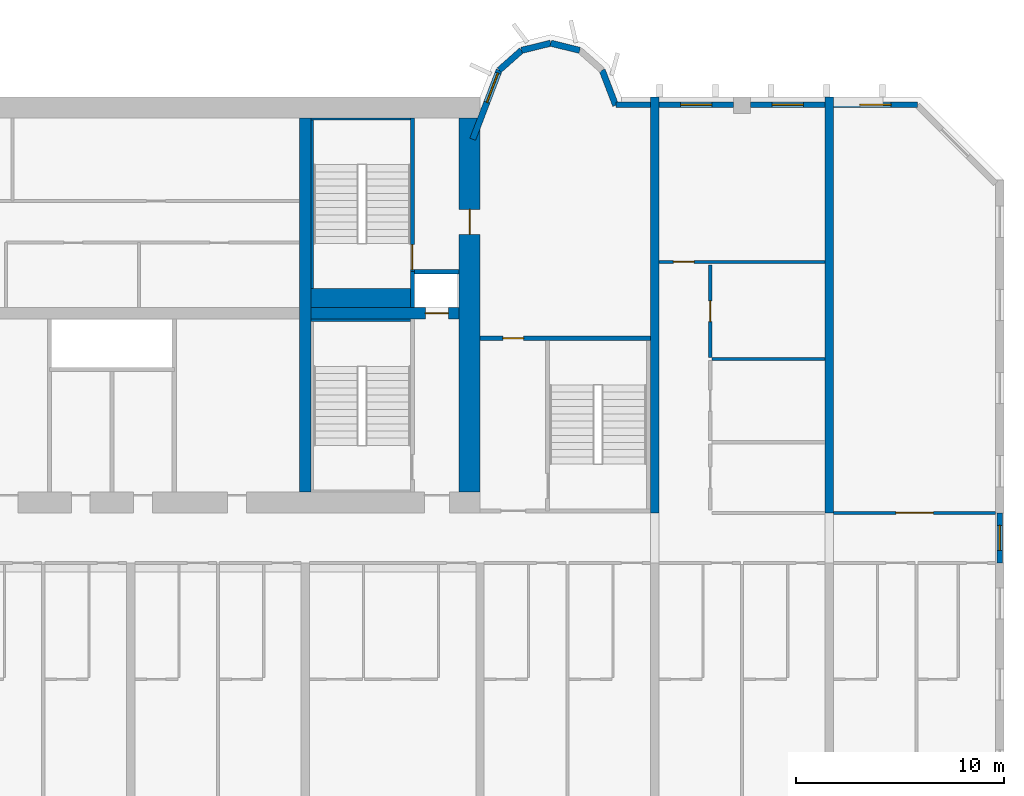
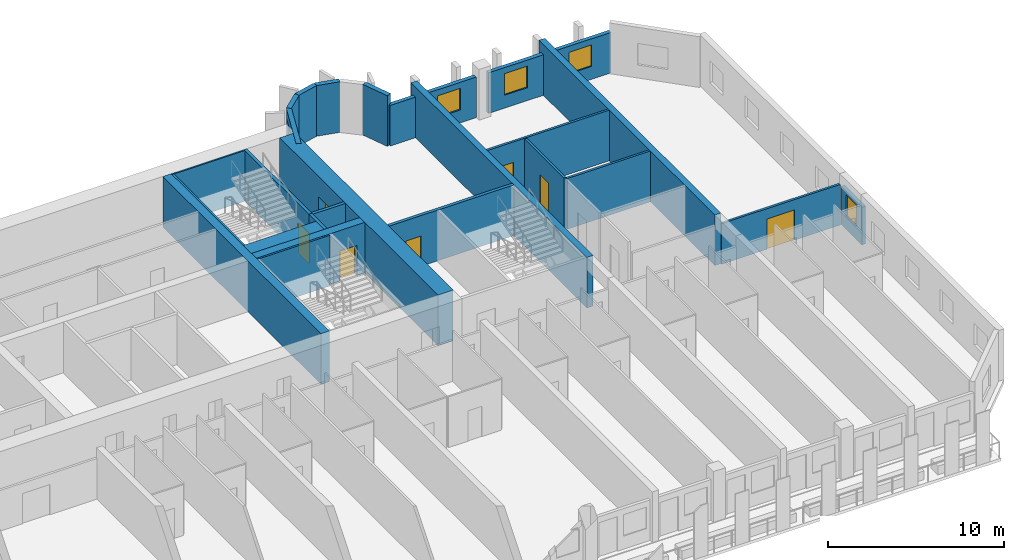
# One storey, part 10 of 14: 27 walls, 7 doors, 5 windows, 12 openings.
"""IFC4 building model written with IfcOpenShell, lengths in metres."""

from ifc_helpers import new_model, si_unit, direction, frame, frame_2d, origin, place, context, subcontext, project, spatial, rectangle, extrude, source, transform, mapped, material, layer, layer_set, type_object, element, fill, save


model = new_model("IFC4")

# Units and contexts
model_context = context("Model", 3, precision=1e-05, world=origin(), true_north=direction((0.0, 1.0)))
body_context = subcontext(model_context, "Body", "Model", "MODEL_VIEW")
ifc_project = project(units=[si_unit("LENGTHUNIT", "METRE"), si_unit("AREAUNIT", "SQUARE_METRE"), si_unit("VOLUMEUNIT", "CUBIC_METRE"), si_unit("PLANEANGLEUNIT", "RADIAN"), si_unit("MASSUNIT", "GRAM", prefix="KILO")], contexts=[model_context])

# Site, building, storey
site_placement = place(None, origin())
site = spatial("IfcSite", under=ifc_project, at=site_placement, CompositionType="ELEMENT")
building_placement = place(site_placement, origin())
building = spatial("IfcBuilding", under=site, at=building_placement, Name="Vanashikhar Sky Hotel", CompositionType="ELEMENT")
storey_placement = place(building_placement, frame((0.0, 0.0, 50.60009765625)))
storey = spatial("IfcBuildingStorey", under=building, at=storey_placement, Name="L11", CompositionType="ELEMENT", Elevation=50.60009765625)

# Wall, opening, door
ifc_material_1 = material(Name="Concrete M80", Category="concrete")
ifc_layer_1 = layer(ifc_material_1, 1.0)
ifc_layer_set_1 = layer_set([ifc_layer_1], Name="RC core shell wall 1000 Concrete M80")
wall_type_1 = type_object("IfcWallType", Name="RC core shell wall 1000 Concrete M80", PredefinedType="SHEAR", material=ifc_layer_set_1)
shared_shape_1 = source(origin(), body_context, "Body", "SweptSolid", [
    extrude(rectangle(XDim=18.0, YDim=1.0, at=frame_2d((9.0, 0.0))), origin(), (0.0, 0.0, 1.0), 3.52001953125),
])
wall_1_placement = place(storey_placement, frame((75.10009765625, 23.0, 0.0), z_axis=(0.0, 0.0, 1.0), x_axis=(0.0, 1.0, 0.0)))
wall_1 = element("IfcWall", 1, at=wall_1_placement, inside=storey, type_object=wall_type_1, Name="KW-L11-KE", PredefinedType="SHEAR", context=body_context, shape_type="MappedRepresentation", body=[
    mapped(shared_shape_1, transform((0.0, 0.0, 0.0), scale=1.0)),
])
shared_shape_2 = source(origin(), body_context, "Body", "SweptSolid", [
    extrude(rectangle(XDim=1.199951171875, YDim=2.10009765625, at=frame_2d((0.60009765625, 1.050048828125))), frame((0.0, 0.510009765625, 0.0), z_axis=(0.0, -1.0, 0.0), x_axis=(1.0, 0.0, 0.0)), (0.0, 0.0, 1.0), 1.02001953125),
])
opening_1_placement = place(wall_1_placement, frame((12.39990234375, 0.0, 0.0)))
opening_1 = element("IfcOpeningElement", 2, at=opening_1_placement, cuts=wall_1, Name="Opening DC-4-D", PredefinedType="OPENING", context=body_context, shape_type="MappedRepresentation", body=[
    mapped(shared_shape_2, transform((0.0, 0.0, 0.0), scale=1.0)),
])
ifc_material_2 = material(Name="Steel", Category="steel")
door_type_1 = type_object("IfcDoorType", Name="Service door 1200 FD120", OperationType="NOTDEFINED", PredefinedType="DOOR", material=ifc_material_2)
shared_shape_3 = source(origin(), body_context, "Body", "SweptSolid", [
    extrude(rectangle(XDim=1.199951171875, YDim=2.10009765625, at=frame_2d((0.60009765625, 1.050048828125))), frame((0.0, 0.02490234375, 0.0), z_axis=(0.0, -1.0, 0.0), x_axis=(1.0, 0.0, 0.0)), (0.0, 0.0, 1.0), 0.050048828125),
])
door_1_placement = place(opening_1_placement, origin())
door_1 = element("IfcDoor", 3, at=door_1_placement, inside=storey, type_object=door_type_1, Name="Service door 1200 FD120", OperationType="SINGLE_SWING_RIGHT", OverallHeight=2.10009765625, OverallWidth=1.199951171875, PredefinedType="DOOR", context=body_context, shape_type="MappedRepresentation", body=[
    mapped(shared_shape_3, transform((0.0, 0.0, 0.0), scale=1.0)),
])
fill(opening_1, door_1)

# Wall
ifc_layer_2 = layer(ifc_material_1, 0.550048828125)
ifc_layer_set_2 = layer_set([ifc_layer_2], Name="RC core inner wall 550 Concrete M80")
wall_type_2 = type_object("IfcWallType", Name="RC core inner wall 550 Concrete M80", PredefinedType="SHEAR", material=ifc_layer_set_2)
shared_shape_4 = source(origin(), body_context, "Body", "SweptSolid", [
    extrude(rectangle(XDim=18.0, YDim=0.550048828125, at=frame_2d((9.0, 0.0))), origin(), (0.0, 0.0, 1.0), 3.52001953125),
])
wall_2_placement = place(storey_placement, frame((67.199951171875, 23.0, 0.0), z_axis=(0.0, 0.0, 1.0), x_axis=(0.0, 1.0, 0.0)))
element("IfcWall", 4, at=wall_2_placement, inside=storey, type_object=wall_type_2, Name="KW-L11-KX3", PredefinedType="SHEAR", context=body_context, shape_type="MappedRepresentation", body=[
    mapped(shared_shape_4, transform((0.0, 0.0, 0.0), scale=1.0)),
])

# Wall, opening, door
shared_shape_5 = source(origin(), body_context, "Body", "SweptSolid", [
    extrude(rectangle(XDim=7.125, YDim=0.550048828125, at=frame_2d((3.5625, 0.0))), origin(), (0.0, 0.0, 1.0), 3.52001953125),
])
wall_3_placement = place(storey_placement, frame((67.47509765625, 31.60009765625, 0.0), z_axis=(0.0, 0.0, 1.0), x_axis=(1.0, 0.0, 0.0)))
wall_3 = element("IfcWall", 5, at=wall_3_placement, inside=storey, type_object=wall_type_2, Name="KW-L11-KY4", PredefinedType="SHEAR", context=body_context, shape_type="MappedRepresentation", body=[
    mapped(shared_shape_5, transform((0.0, 0.0, 0.0), scale=1.0)),
])
shared_shape_6 = source(origin(), body_context, "Body", "SweptSolid", [
    extrude(rectangle(XDim=1.10009765625, YDim=2.10009765625, at=frame_2d((0.550048828125, 1.050048828125))), frame((0.0, 0.28515625, 0.0), z_axis=(0.0, -1.0, 0.0), x_axis=(1.0, 0.0, 0.0)), (0.0, 0.0, 1.0), 0.570068359375),
])
opening_2_placement = place(wall_3_placement, frame((5.5, 0.0, 0.0)))
opening_2 = element("IfcOpeningElement", 6, at=opening_2_placement, cuts=wall_3, Name="Opening LD", PredefinedType="OPENING", context=body_context, shape_type="MappedRepresentation", body=[
    mapped(shared_shape_6, transform((0.0, 0.0, 0.0), scale=1.0)),
])
ifc_material_3 = material(Name="Stainless steel", Category="steel")
door_type_2 = type_object("IfcDoorType", Name="Lift landing door 1100", OperationType="NOTDEFINED", PredefinedType="DOOR", material=ifc_material_3)
shared_shape_7 = source(origin(), body_context, "Body", "SweptSolid", [
    extrude(rectangle(XDim=1.10009765625, YDim=2.10009765625, at=frame_2d((0.550048828125, 1.050048828125))), frame((0.0, 0.02490234375, 0.0), z_axis=(0.0, -1.0, 0.0), x_axis=(1.0, 0.0, 0.0)), (0.0, 0.0, 1.0), 0.050048828125),
])
door_2_placement = place(opening_2_placement, origin())
door_2 = element("IfcDoor", 7, at=door_2_placement, inside=storey, type_object=door_type_2, Name="Lift landing door 1100", OperationType="SLIDING_TO_LEFT", OverallHeight=2.10009765625, OverallWidth=1.10009765625, PredefinedType="DOOR", context=body_context, shape_type="MappedRepresentation", body=[
    mapped(shared_shape_7, transform((0.0, 0.0, 0.0), scale=1.0)),
])
fill(opening_2, door_2)

# Walls
ifc_layer_3 = layer(ifc_material_1, 0.39990234375)
ifc_layer_set_3 = layer_set([ifc_layer_3], Name="RC shear wall 400 Concrete M80")
wall_type_3 = type_object("IfcWallType", Name="RC shear wall 400 Concrete M80", PredefinedType="SHEAR", material=ifc_layer_set_3)
shared_shape_8 = source(origin(), body_context, "Body", "SweptSolid", [
    extrude(rectangle(XDim=20.0, YDim=0.39990234375, at=frame_2d((10.0, 0.0))), origin(), (0.0, 0.0, 1.0), 3.52001953125),
])
for number, where, z_axis, x_axis, name in (
    (8, (84.0, 22.0, 0.0), (0.0, 0.0, 1.0), (0.0, 1.0, 0.0), "CW-L11-XW11-2"),
    (9, (92.39990234375, 22.0, 0.0), (0.0, 0.0, 1.0), (0.0, 1.0, 0.0), "CW-L11-XW12-2"),
):
    element("IfcWall", number, at=place(storey_placement, frame(where, z_axis=z_axis, x_axis=x_axis)), inside=storey, type_object=wall_type_3, Name=name, PredefinedType="SHEAR", context=body_context, shape_type="MappedRepresentation", body=[
        mapped(shared_shape_8, transform((0.0, 0.0, 0.0), scale=1.0)),
    ])

# Wall, opening, window
ifc_material_4 = material(Name="Concrete M50", Category="concrete")
ifc_layer_4 = layer(ifc_material_4, 0.300048828125)
ifc_layer_set_4 = layer_set([ifc_layer_4], Name="Lobe wall 300")
wall_type_4 = type_object("IfcWallType", Name="Lobe wall 300", PredefinedType="SOLIDWALL", material=ifc_layer_set_4)
shared_shape_9 = source(origin(), body_context, "Body", "SweptSolid", [
    extrude(rectangle(XDim=3.55908203125, YDim=0.300048828125, at=frame_2d((1.779541015625, 0.0))), origin(), (0.0, 0.0, 1.0), 3.52001953125),
])
wall_4_placement = place(storey_placement, frame((76.5234375, 43.2919921875, 0.0), z_axis=(0.0, 0.0, 1.0), x_axis=(-0.35779745313, -0.933799219604, 0.0)))
wall_4 = element("IfcWall", 10, at=wall_4_placement, inside=storey, type_object=wall_type_4, Name="Lobe wall", PredefinedType="SOLIDWALL", context=body_context, shape_type="MappedRepresentation", body=[
    mapped(shared_shape_9, transform((0.0, 0.0, 0.0), scale=1.0)),
])
shared_shape_10 = source(origin(), body_context, "Body", "SweptSolid", [
    extrude(rectangle(XDim=1.5, YDim=2.0, at=frame_2d((0.75, 1.0))), frame((0.0, 0.16015625, 0.0), z_axis=(0.0, -1.0, 0.0), x_axis=(1.0, 0.0, 0.0)), (0.0, 0.0, 1.0), 0.320068359375),
])
opening_3_placement = place(wall_4_placement, frame((0.156005859375, 0.0, 0.89990234375)))
opening_3 = element("IfcOpeningElement", 11, at=opening_3_placement, cuts=wall_4, Name="Opening WN-2", PredefinedType="OPENING", context=body_context, shape_type="MappedRepresentation", body=[
    mapped(shared_shape_10, transform((0.0, 0.0, 0.0), scale=1.0)),
])
ifc_material_5 = material(Name="Glass", Category="glass")
window_type_1 = type_object("IfcWindowType", Name="Lobe window 1500 x 2000", PartitioningType="SINGLE_PANEL", PredefinedType="WINDOW", material=ifc_material_5)
shared_shape_11 = source(origin(), body_context, "Body", "SweptSolid", [
    extrude(rectangle(XDim=1.5, YDim=2.0, at=frame_2d((0.75, 1.0))), frame((0.0, 0.030029296875, 0.0), z_axis=(0.0, -1.0, 0.0), x_axis=(1.0, 0.0, 0.0)), (0.0, 0.0, 1.0), 0.06005859375),
])
window_1_placement = place(opening_3_placement, origin())
window_1 = element("IfcWindow", 12, at=window_1_placement, inside=storey, type_object=window_type_1, Name="Window WN-2", OverallHeight=2.0, OverallWidth=1.5, PartitioningType="SINGLE_PANEL", PredefinedType="WINDOW", context=body_context, shape_type="MappedRepresentation", body=[
    mapped(shared_shape_11, transform((0.0, 0.0, 0.0), scale=1.0)),
])
fill(opening_3, window_1)

# Walls
shared_shape_12 = source(origin(), body_context, "Body", "SweptSolid", [
    extrude(rectangle(XDim=1.438720703125, YDim=0.300048828125, at=frame_2d((0.71923828125, 0.0))), origin(), (0.0, 0.0, 1.0), 3.52001953125),
])
for number, where, z_axis, x_axis, name in (
    (13, (80.397216796875, 44.2451171875, 0.0), (0.0, 0.0, 1.0), (-0.971161932466, 0.238420848351, 0.0), "Lobe wall"),
    (14, (79.0, 44.588134765625, 0.0), (0.0, 0.0, 1.0), (-0.971161932466, -0.238420848351, 0.0), "Lobe wall"),
):
    element("IfcWall", number, at=place(storey_placement, frame(where, z_axis=z_axis, x_axis=x_axis)), inside=storey, type_object=wall_type_4, Name=name, PredefinedType="SOLIDWALL", context=body_context, shape_type="MappedRepresentation", body=[
        mapped(shared_shape_12, transform((0.0, 0.0, 0.0), scale=1.0)),
    ])
shared_shape_13 = source(origin(), body_context, "Body", "SweptSolid", [
    extrude(rectangle(XDim=1.43994140625, YDim=0.300048828125, at=frame_2d((0.719970703125, 0.0))), origin(), (0.0, 0.0, 1.0), 3.52001953125),
])
wall_5_placement = place(storey_placement, frame((77.602783203125, 44.2451171875, 0.0), z_axis=(0.0, 0.0, 1.0), x_axis=(-0.74957555648, -0.661918790432, 0.0)))
element("IfcWall", 15, at=wall_5_placement, inside=storey, type_object=wall_type_4, Name="Lobe wall", PredefinedType="SOLIDWALL", context=body_context, shape_type="MappedRepresentation", body=[
    mapped(shared_shape_13, transform((0.0, 0.0, 0.0), scale=1.0)),
])
shared_shape_14 = source(origin(), body_context, "Body", "SweptSolid", [
    extrude(rectangle(XDim=1.81201171875, YDim=0.300048828125, at=frame_2d((0.906005859375, 0.0))), origin(), (0.0, 0.0, 1.0), 3.52001953125),
])
wall_6_placement = place(storey_placement, frame((82.125, 41.60009765625, 0.0), z_axis=(0.0, 0.0, 1.0), x_axis=(-0.357877270961, 0.93376863244, 0.0)))
element("IfcWall", 16, at=wall_6_placement, inside=storey, type_object=wall_type_4, Name="Lobe wall", PredefinedType="SOLIDWALL", context=body_context, shape_type="MappedRepresentation", body=[
    mapped(shared_shape_14, transform((0.0, 0.0, 0.0), scale=1.0)),
])

# Wall, opening, window
ifc_layer_5 = layer(ifc_material_4, 0.25)
ifc_layer_set_5 = layer_set([ifc_layer_5], Name="Rear and end board-marked wall 250")
wall_type_5 = type_object("IfcWallType", Name="Rear and end board-marked wall 250", PredefinedType="SOLIDWALL", material=ifc_layer_set_5)
shared_shape_15 = source(origin(), body_context, "Body", "SweptSolid", [
    extrude(rectangle(XDim=2.39990234375, YDim=0.25, at=frame_2d((1.199951171875, 0.0))), origin(), (0.0, 0.0, 1.0), 2.619873046875),
])
wall_7_placement = place(storey_placement, frame((100.60009765625, 19.60009765625, 0.0), z_axis=(0.0, 0.0, 1.0), x_axis=(0.0, 1.0, 0.0)))
wall_7 = element("IfcWall", 17, at=wall_7_placement, inside=storey, type_object=wall_type_5, Name="End corridor infill wall", PredefinedType="SOLIDWALL", context=body_context, shape_type="MappedRepresentation", body=[
    mapped(shared_shape_15, transform((0.0, 0.0, 0.0), scale=1.0)),
])
shared_shape_16 = source(origin(), body_context, "Body", "SweptSolid", [
    extrude(rectangle(XDim=1.199951171875, YDim=1.5, at=frame_2d((0.60009765625, 0.75))), frame((0.0, 0.135009765625, 0.0), z_axis=(0.0, -1.0, 0.0), x_axis=(1.0, 0.0, 0.0)), (0.0, 0.0, 1.0), 0.27001953125),
])
opening_4_placement = place(wall_7_placement, frame((0.60009765625, 0.0, 0.89990234375)))
opening_4 = element("IfcOpeningElement", 18, at=opening_4_placement, cuts=wall_7, Name="Opening WN-3", PredefinedType="OPENING", context=body_context, shape_type="MappedRepresentation", body=[
    mapped(shared_shape_16, transform((0.0, 0.0, 0.0), scale=1.0)),
])
window_type_2 = type_object("IfcWindowType", Name="Corridor end window 1200 x 1500", PartitioningType="SINGLE_PANEL", PredefinedType="WINDOW", material=ifc_material_5)
shared_shape_17 = source(origin(), body_context, "Body", "SweptSolid", [
    extrude(rectangle(XDim=1.199951171875, YDim=1.5, at=frame_2d((0.60009765625, 0.75))), frame((0.0, 0.030029296875, 0.0), z_axis=(0.0, -1.0, 0.0), x_axis=(1.0, 0.0, 0.0)), (0.0, 0.0, 1.0), 0.06005859375),
])
window_2_placement = place(opening_4_placement, origin())
window_2 = element("IfcWindow", 19, at=window_2_placement, inside=storey, type_object=window_type_2, Name="Window WN-3", OverallHeight=1.5, OverallWidth=1.199951171875, PartitioningType="SINGLE_PANEL", PredefinedType="WINDOW", context=body_context, shape_type="MappedRepresentation", body=[
    mapped(shared_shape_17, transform((0.0, 0.0, 0.0), scale=1.0)),
])
fill(opening_4, window_2)

# Wall
shared_shape_18 = source(origin(), body_context, "Body", "SweptSolid", [
    extrude(rectangle(XDim=1.657958984375, YDim=0.25, at=frame_2d((0.8291015625, 0.0))), origin(), (0.0, 0.0, 1.0), 2.81982421875),
])
wall_8_placement = place(storey_placement, frame((83.800048828125, 41.625, 0.0), z_axis=(0.0, 0.0, 1.0), x_axis=(-1.0, 0.0, 0.0)))
element("IfcWall", 20, at=wall_8_placement, inside=storey, type_object=wall_type_5, Name="Rear board-marked wall", PredefinedType="SOLIDWALL", context=body_context, shape_type="MappedRepresentation", body=[
    mapped(shared_shape_18, transform((0.0, 0.0, 0.0), scale=1.0)),
])

# Wall, opening, window
shared_shape_19 = source(origin(), body_context, "Body", "SweptSolid", [
    extrude(rectangle(XDim=3.60009765625, YDim=0.25, at=frame_2d((1.800048828125, 0.0))), origin(), (0.0, 0.0, 1.0), 2.81982421875),
])
wall_9_placement = place(storey_placement, frame((87.800048828125, 41.625, 0.0), z_axis=(0.0, 0.0, 1.0), x_axis=(-1.0, 0.0, 0.0)))
wall_9 = element("IfcWall", 21, at=wall_9_placement, inside=storey, type_object=wall_type_5, Name="Rear board-marked wall", PredefinedType="SOLIDWALL", context=body_context, shape_type="MappedRepresentation", body=[
    mapped(shared_shape_19, transform((0.0, 0.0, 0.0), scale=1.0)),
])
shared_shape_20 = source(origin(), body_context, "Body", "SweptSolid", [
    extrude(rectangle(XDim=1.5, YDim=1.5, at=frame_2d((0.75, 0.75))), frame((0.0, 0.135009765625, 0.0), z_axis=(0.0, -1.0, 0.0), x_axis=(1.0, 0.0, 0.0)), (0.0, 0.0, 1.0), 0.27001953125),
])
opening_5_placement = place(wall_9_placement, frame((1.050048828125, 0.0, 0.89990234375)))
opening_5 = element("IfcOpeningElement", 22, at=opening_5_placement, cuts=wall_9, Name="Opening WN-1", PredefinedType="OPENING", context=body_context, shape_type="MappedRepresentation", body=[
    mapped(shared_shape_20, transform((0.0, 0.0, 0.0), scale=1.0)),
])
window_type_3 = type_object("IfcWindowType", Name="Window 1500 x 1500", PartitioningType="SINGLE_PANEL", PredefinedType="WINDOW", material=ifc_material_5)
shared_shape_21 = source(origin(), body_context, "Body", "SweptSolid", [
    extrude(rectangle(XDim=1.5, YDim=1.5, at=frame_2d((0.75, 0.75))), frame((0.0, 0.030029296875, 0.0), z_axis=(0.0, -1.0, 0.0), x_axis=(1.0, 0.0, 0.0)), (0.0, 0.0, 1.0), 0.06005859375),
])
window_3_placement = place(opening_5_placement, origin())
window_3 = element("IfcWindow", 23, at=window_3_placement, inside=storey, type_object=window_type_3, Name="Window WN-1", OverallHeight=1.5, OverallWidth=1.5, PartitioningType="SINGLE_PANEL", PredefinedType="WINDOW", context=body_context, shape_type="MappedRepresentation", body=[
    mapped(shared_shape_21, transform((0.0, 0.0, 0.0), scale=1.0)),
])
fill(opening_5, window_3)

shared_shape_22 = source(origin(), body_context, "Body", "SweptSolid", [
    extrude(rectangle(XDim=3.599853515625, YDim=0.25, at=frame_2d((1.7998046875, 0.0))), origin(), (0.0, 0.0, 1.0), 2.81982421875),
])
wall_10_placement = place(storey_placement, frame((92.199951171875, 41.625, 0.0), z_axis=(0.0, 0.0, 1.0), x_axis=(-1.0, 0.0, 0.0)))
wall_10 = element("IfcWall", 24, at=wall_10_placement, inside=storey, type_object=wall_type_5, Name="Rear board-marked wall", PredefinedType="SOLIDWALL", context=body_context, shape_type="MappedRepresentation", body=[
    mapped(shared_shape_22, transform((0.0, 0.0, 0.0), scale=1.0)),
])
opening_6_placement = place(wall_10_placement, frame((1.050048828125, 0.0, 0.89990234375)))
opening_6 = element("IfcOpeningElement", 25, at=opening_6_placement, cuts=wall_10, Name="Opening WN-1", PredefinedType="OPENING", context=body_context, shape_type="MappedRepresentation", body=[
    mapped(shared_shape_20, transform((0.0, 0.0, 0.0), scale=1.0)),
])
window_4_placement = place(opening_6_placement, origin())
window_4 = element("IfcWindow", 26, at=window_4_placement, inside=storey, type_object=window_type_3, Name="Window WN-1", OverallHeight=1.5, OverallWidth=1.5, PartitioningType="SINGLE_PANEL", PredefinedType="WINDOW", context=body_context, shape_type="MappedRepresentation", body=[
    mapped(shared_shape_21, transform((0.0, 0.0, 0.0), scale=1.0)),
])
fill(opening_6, window_4)

shared_shape_23 = source(origin(), body_context, "Body", "SweptSolid", [
    extrude(rectangle(XDim=4.044677734375, YDim=0.25, at=frame_2d((2.0224609375, 0.0))), origin(), (0.0, 0.0, 1.0), 2.81982421875),
])
wall_11_placement = place(storey_placement, frame((96.644775390625, 41.625, 0.0), z_axis=(0.0, 0.0, 1.0), x_axis=(-1.0, 0.0, 0.0)))
wall_11 = element("IfcWall", 27, at=wall_11_placement, inside=storey, type_object=wall_type_5, Name="Rear board-marked wall", PredefinedType="SOLIDWALL", context=body_context, shape_type="MappedRepresentation", body=[
    mapped(shared_shape_23, transform((0.0, 0.0, 0.0), scale=1.0)),
])
opening_7_placement = place(wall_11_placement, frame((1.272216796875, 0.0, 0.89990234375)))
opening_7 = element("IfcOpeningElement", 28, at=opening_7_placement, cuts=wall_11, Name="Opening WN-1", PredefinedType="OPENING", context=body_context, shape_type="MappedRepresentation", body=[
    mapped(shared_shape_20, transform((0.0, 0.0, 0.0), scale=1.0)),
])
window_5_placement = place(opening_7_placement, origin())
window_5 = element("IfcWindow", 29, at=window_5_placement, inside=storey, type_object=window_type_3, Name="Window WN-1", OverallHeight=1.5, OverallWidth=1.5, PartitioningType="SINGLE_PANEL", PredefinedType="WINDOW", context=body_context, shape_type="MappedRepresentation", body=[
    mapped(shared_shape_21, transform((0.0, 0.0, 0.0), scale=1.0)),
])
fill(opening_7, window_5)

# Wall, opening, door
ifc_layer_6 = layer(ifc_material_4, 0.199951171875)
ifc_layer_set_6 = layer_set([ifc_layer_6], Name="Stair wall 200")
wall_type_6 = type_object("IfcWallType", Name="Stair wall 200", PredefinedType="SOLIDWALL", material=ifc_layer_set_6)
shared_shape_24 = source(origin(), body_context, "Body", "SweptSolid", [
    extrude(rectangle(XDim=8.199951171875, YDim=0.199951171875, at=frame_2d((4.10009765625, 0.0))), origin(), (0.0, 0.0, 1.0), 3.52001953125),
])
wall_12_placement = place(storey_placement, frame((83.800048828125, 30.39990234375, 0.0), z_axis=(0.0, 0.0, 1.0), x_axis=(-1.0, 0.0, 0.0)))
wall_12 = element("IfcWall", 30, at=wall_12_placement, inside=storey, type_object=wall_type_6, Name="Stair wall 200", PredefinedType="SOLIDWALL", context=body_context, shape_type="MappedRepresentation", body=[
    mapped(shared_shape_24, transform((0.0, 0.0, 0.0), scale=1.0)),
])
shared_shape_25 = source(origin(), body_context, "Body", "SweptSolid", [
    extrude(rectangle(XDim=1.0, YDim=2.10009765625, at=frame_2d((0.5, 1.050048828125))), frame((0.0, 0.10986328125, 0.0), z_axis=(0.0, -1.0, 0.0), x_axis=(1.0, 0.0, 0.0)), (0.0, 0.0, 1.0), 0.219970703125),
])
opening_8_placement = place(wall_12_placement, frame((6.10009765625, 0.0, 0.0)))
opening_8 = element("IfcOpeningElement", 31, at=opening_8_placement, cuts=wall_12, Name="Opening DC-6", PredefinedType="OPENING", context=body_context, shape_type="MappedRepresentation", body=[
    mapped(shared_shape_25, transform((0.0, 0.0, 0.0), scale=1.0)),
])
door_type_3 = type_object("IfcDoorType", Name="Pocket door 1000 FD60", OperationType="NOTDEFINED", PredefinedType="DOOR", material=ifc_material_2)
shared_shape_26 = source(origin(), body_context, "Body", "SweptSolid", [
    extrude(rectangle(XDim=1.0, YDim=2.10009765625, at=frame_2d((0.5, 1.050048828125))), frame((0.0, 0.02490234375, 0.0), z_axis=(0.0, -1.0, 0.0), x_axis=(1.0, 0.0, 0.0)), (0.0, 0.0, 1.0), 0.050048828125),
])
door_3_placement = place(opening_8_placement, origin())
door_3 = element("IfcDoor", 32, at=door_3_placement, inside=storey, type_object=door_type_3, Name="Pocket door 1000 FD60", OperationType="SINGLE_SWING_LEFT", OverallHeight=2.10009765625, OverallWidth=1.0, PredefinedType="DOOR", context=body_context, shape_type="MappedRepresentation", body=[
    mapped(shared_shape_26, transform((0.0, 0.0, 0.0), scale=1.0)),
])
fill(opening_8, door_3)

# Walls
ifc_material_6 = material(Name="Concrete M40", Category="concrete")
ifc_layer_7 = layer(ifc_material_6, 0.199951171875)
ifc_layer_set_7 = layer_set([ifc_layer_7], Name="Shaft wall 200")
wall_type_7 = type_object("IfcWallType", Name="Shaft wall 200", PredefinedType="SOLIDWALL", material=ifc_layer_set_7)
shared_shape_27 = source(origin(), body_context, "Body", "SweptSolid", [
    extrude(rectangle(XDim=2.150146484375, YDim=0.199951171875, at=frame_2d((1.0751953125, 0.0))), origin(), (0.0, 0.0, 1.0), 3.52001953125),
])
wall_13_placement = place(storey_placement, frame((72.449951171875, 33.60009765625, 0.0), z_axis=(0.0, 0.0, 1.0), x_axis=(1.0, 0.0, 0.0)))
element("IfcWall", 33, at=wall_13_placement, inside=storey, type_object=wall_type_7, Name="Shaft wall 200", PredefinedType="SOLIDWALL", context=body_context, shape_type="MappedRepresentation", body=[
    mapped(shared_shape_27, transform((0.0, 0.0, 0.0), scale=1.0)),
])
shared_shape_28 = source(origin(), body_context, "Body", "SweptSolid", [
    extrude(rectangle(XDim=1.72509765625, YDim=0.199951171875, at=frame_2d((0.862548828125, 0.0))), origin(), (0.0, 0.0, 1.0), 3.52001953125),
])
wall_14_placement = place(storey_placement, frame((72.35009765625, 31.875, 0.0), z_axis=(0.0, 0.0, 1.0), x_axis=(0.0, 1.0, 0.0)))
element("IfcWall", 34, at=wall_14_placement, inside=storey, type_object=wall_type_7, Name="Shaft wall 200", PredefinedType="SOLIDWALL", context=body_context, shape_type="MappedRepresentation", body=[
    mapped(shared_shape_28, transform((0.0, 0.0, 0.0), scale=1.0)),
])

# Wall, opening, door
shared_shape_29 = source(origin(), body_context, "Body", "SweptSolid", [
    extrude(rectangle(XDim=7.39990234375, YDim=0.199951171875, at=frame_2d((3.699951171875, 0.0))), origin(), (0.0, 0.0, 1.0), 3.52001953125),
])
wall_15_placement = place(storey_placement, frame((72.35009765625, 33.60009765625, 0.0), z_axis=(0.0, 0.0, 1.0), x_axis=(0.0, 1.0, 0.0)))
wall_15 = element("IfcWall", 35, at=wall_15_placement, inside=storey, type_object=wall_type_6, Name="Stair wall 200", PredefinedType="SOLIDWALL", context=body_context, shape_type="MappedRepresentation", body=[
    mapped(shared_shape_29, transform((0.0, 0.0, 0.0), scale=1.0)),
])
shared_shape_30 = source(origin(), body_context, "Body", "SweptSolid", [
    extrude(rectangle(XDim=1.199951171875, YDim=2.10009765625, at=frame_2d((0.60009765625, 1.050048828125))), frame((0.0, 0.10986328125, 0.0), z_axis=(0.0, -1.0, 0.0), x_axis=(1.0, 0.0, 0.0)), (0.0, 0.0, 1.0), 0.219970703125),
])
opening_9_placement = place(wall_15_placement, frame((0.10009765625, 0.0, 0.0)))
opening_9 = element("IfcOpeningElement", 36, at=opening_9_placement, cuts=wall_15, Name="Opening DC-1", PredefinedType="OPENING", context=body_context, shape_type="MappedRepresentation", body=[
    mapped(shared_shape_30, transform((0.0, 0.0, 0.0), scale=1.0)),
])
door_type_4 = type_object("IfcDoorType", Name="Stair door 1200 FD120", OperationType="NOTDEFINED", PredefinedType="DOOR", material=ifc_material_2)
door_4_placement = place(opening_9_placement, origin())
door_4 = element("IfcDoor", 37, at=door_4_placement, inside=storey, type_object=door_type_4, Name="Stair door 1200 FD120", OperationType="SINGLE_SWING_LEFT", OverallHeight=2.10009765625, OverallWidth=1.199951171875, PredefinedType="DOOR", context=body_context, shape_type="MappedRepresentation", body=[
    mapped(shared_shape_3, transform((0.0, 0.0, 0.0), scale=1.0)),
])
fill(opening_9, door_4)

# Walls
ifc_layer_8 = layer(ifc_material_4, 0.10009765625)
ifc_layer_set_8 = layer_set([ifc_layer_8], Name="Stair infill wall 100")
wall_type_8 = type_object("IfcWallType", Name="Stair infill wall 100", PredefinedType="SOLIDWALL", material=ifc_layer_set_8)
shared_shape_31 = source(origin(), body_context, "Body", "SweptSolid", [
    extrude(rectangle(XDim=4.77490234375, YDim=0.10009765625, at=frame_2d((2.387451171875, 0.0))), origin(), (0.0, 0.0, 1.0), 3.52001953125),
])
wall_16_placement = place(storey_placement, frame((67.47509765625, 40.949951171875, 0.0), z_axis=(0.0, 0.0, 1.0), x_axis=(1.0, 0.0, 0.0)))
element("IfcWall", 38, at=wall_16_placement, inside=storey, type_object=wall_type_8, Name="Stair infill wall 100", PredefinedType="SOLIDWALL", context=body_context, shape_type="MappedRepresentation", body=[
    mapped(shared_shape_31, transform((0.0, 0.0, 0.0), scale=1.0)),
])
ifc_layer_9 = layer(ifc_material_4, 0.125)
ifc_layer_set_9 = layer_set([ifc_layer_9], Name="Stair infill wall 125")
wall_type_9 = type_object("IfcWallType", Name="Stair infill wall 125", PredefinedType="SOLIDWALL", material=ifc_layer_set_9)
shared_shape_32 = source(origin(), body_context, "Body", "SweptSolid", [
    extrude(rectangle(XDim=4.77490234375, YDim=0.125, at=frame_2d((2.387451171875, 0.0))), origin(), (0.0, 0.0, 1.0), 3.52001953125),
])
wall_17_placement = place(storey_placement, frame((67.47509765625, 31.261962890625, 0.0), z_axis=(0.0, 0.0, 1.0), x_axis=(1.0, 0.0, 0.0)))
element("IfcWall", 39, at=wall_17_placement, inside=storey, type_object=wall_type_9, Name="Stair infill wall 125", PredefinedType="SOLIDWALL", context=body_context, shape_type="MappedRepresentation", body=[
    mapped(shared_shape_32, transform((0.0, 0.0, 0.0), scale=1.0)),
])
shared_shape_33 = source(origin(), body_context, "Body", "SweptSolid", [
    extrude(rectangle(XDim=8.099853515625, YDim=0.125, at=frame_2d((4.0498046875, 0.0))), origin(), (0.0, 0.0, 1.0), 3.52001953125),
])
wall_18_placement = place(storey_placement, frame((67.537109375, 32.800048828125, 0.0), z_axis=(0.0, 0.0, 1.0), x_axis=(0.0, 1.0, 0.0)))
element("IfcWall", 40, at=wall_18_placement, inside=storey, type_object=wall_type_9, Name="Stair infill wall 125", PredefinedType="SOLIDWALL", context=body_context, shape_type="MappedRepresentation", body=[
    mapped(shared_shape_33, transform((0.0, 0.0, 0.0), scale=1.0)),
])
ifc_layer_10 = layer(ifc_material_4, 0.925048828125)
ifc_layer_set_10 = layer_set([ifc_layer_10], Name="Stair infill wall 925")
wall_type_10 = type_object("IfcWallType", Name="Stair infill wall 925", PredefinedType="SOLIDWALL", material=ifc_layer_set_10)
shared_shape_34 = source(origin(), body_context, "Body", "SweptSolid", [
    extrude(rectangle(XDim=4.77490234375, YDim=0.925048828125, at=frame_2d((2.387451171875, 0.0))), origin(), (0.0, 0.0, 1.0), 3.52001953125),
])
wall_19_placement = place(storey_placement, frame((67.47509765625, 32.3369140625, 0.0), z_axis=(0.0, 0.0, 1.0), x_axis=(1.0, 0.0, 0.0)))
element("IfcWall", 41, at=wall_19_placement, inside=storey, type_object=wall_type_10, Name="Stair infill wall 925", PredefinedType="SOLIDWALL", context=body_context, shape_type="MappedRepresentation", body=[
    mapped(shared_shape_34, transform((0.0, 0.0, 0.0), scale=1.0)),
])

# Wall, opening, door
ifc_material_7 = material(Name="Gypsum plasterboard partition")
ifc_layer_11 = layer(ifc_material_7, 0.14990234375)
ifc_layer_set_11 = layer_set([ifc_layer_11], Name="Corridor and demising partition 150")
wall_type_11 = type_object("IfcWallType", Name="Corridor and demising partition 150", PredefinedType="PARTITIONING", material=ifc_layer_set_11)
shared_shape_35 = source(origin(), body_context, "Body", "SweptSolid", [
    extrude(rectangle(XDim=4.449951171875, YDim=0.14990234375, at=frame_2d((2.22509765625, 0.0))), origin(), (0.0, 0.0, 1.0), 3.52001953125),
])
wall_20_placement = place(storey_placement, frame((86.675048828125, 29.47509765625, 0.0), z_axis=(0.0, 0.0, 1.0), x_axis=(0.0, 1.0, 0.0)))
wall_20 = element("IfcWall", 42, at=wall_20_placement, inside=storey, type_object=wall_type_11, Name="W-L11-PW090", PredefinedType="PARTITIONING", context=body_context, shape_type="MappedRepresentation", body=[
    mapped(shared_shape_35, transform((0.0, 0.0, 0.0), scale=1.0)),
])
shared_shape_36 = source(origin(), body_context, "Body", "SweptSolid", [
    extrude(rectangle(XDim=1.0, YDim=2.10009765625, at=frame_2d((0.5, 1.050048828125))), frame((0.0, 0.0849609375, 0.0), z_axis=(0.0, -1.0, 0.0), x_axis=(1.0, 0.0, 0.0)), (0.0, 0.0, 1.0), 0.169921875),
])
opening_10_placement = place(wall_20_placement, frame((1.72509765625, 0.0, 0.0)))
opening_10 = element("IfcOpeningElement", 43, at=opening_10_placement, cuts=wall_20, Name="Opening D-01", PredefinedType="OPENING", context=body_context, shape_type="MappedRepresentation", body=[
    mapped(shared_shape_36, transform((0.0, 0.0, 0.0), scale=1.0)),
])
ifc_material_8 = material(Name="Timber fire door", Category="wood")
door_type_5 = type_object("IfcDoorType", Name="Guest entry door 1000 FD30S", OperationType="NOTDEFINED", PredefinedType="DOOR", material=ifc_material_8)
door_5_placement = place(opening_10_placement, origin())
door_5 = element("IfcDoor", 44, at=door_5_placement, inside=storey, type_object=door_type_5, Name="D-L11-051", OperationType="SINGLE_SWING_LEFT", OverallHeight=2.10009765625, OverallWidth=1.0, PredefinedType="DOOR", context=body_context, shape_type="MappedRepresentation", body=[
    mapped(shared_shape_26, transform((0.0, 0.0, 0.0), scale=1.0)),
])
fill(opening_10, door_5)

# Wall
shared_shape_37 = source(origin(), body_context, "Body", "SweptSolid", [
    extrude(rectangle(XDim=5.449951171875, YDim=0.14990234375, at=frame_2d((2.72509765625, 0.0))), origin(), (0.0, 0.0, 1.0), 3.52001953125),
])
wall_21_placement = place(storey_placement, frame((86.75, 29.39990234375, 0.0), z_axis=(0.0, 0.0, 1.0), x_axis=(1.0, 0.0, 0.0)))
element("IfcWall", 45, at=wall_21_placement, inside=storey, type_object=wall_type_11, Name="W-L11-PW089", PredefinedType="PARTITIONING", context=body_context, shape_type="MappedRepresentation", body=[
    mapped(shared_shape_37, transform((0.0, 0.0, 0.0), scale=1.0)),
])

# Wall, opening, door
shared_shape_38 = source(origin(), body_context, "Body", "SweptSolid", [
    extrude(rectangle(XDim=8.0, YDim=0.14990234375, at=frame_2d((4.0, 0.0))), origin(), (0.0, 0.0, 1.0), 3.52001953125),
])
wall_22_placement = place(storey_placement, frame((84.199951171875, 34.074951171875, 0.0), z_axis=(0.0, 0.0, 1.0), x_axis=(1.0, 0.0, 0.0)))
wall_22 = element("IfcWall", 46, at=wall_22_placement, inside=storey, type_object=wall_type_11, Name="W-L11-PW091", PredefinedType="PARTITIONING", context=body_context, shape_type="MappedRepresentation", body=[
    mapped(shared_shape_38, transform((0.0, 0.0, 0.0), scale=1.0)),
])
opening_11_placement = place(wall_22_placement, frame((0.699951171875, 0.0, 0.0)))
opening_11 = element("IfcOpeningElement", 47, at=opening_11_placement, cuts=wall_22, Name="Opening D-01", PredefinedType="OPENING", context=body_context, shape_type="MappedRepresentation", body=[
    mapped(shared_shape_36, transform((0.0, 0.0, 0.0), scale=1.0)),
])
door_6_placement = place(opening_11_placement, origin())
door_6 = element("IfcDoor", 48, at=door_6_placement, inside=storey, type_object=door_type_5, Name="D-L11-052", OperationType="SINGLE_SWING_LEFT", OverallHeight=2.10009765625, OverallWidth=1.0, PredefinedType="DOOR", context=body_context, shape_type="MappedRepresentation", body=[
    mapped(shared_shape_26, transform((0.0, 0.0, 0.0), scale=1.0)),
])
fill(opening_11, door_6)

shared_shape_39 = source(origin(), body_context, "Body", "SweptSolid", [
    extrude(rectangle(XDim=7.7998046875, YDim=0.14990234375, at=frame_2d((3.89990234375, 0.0))), origin(), (0.0, 0.0, 1.0), 2.81982421875),
])
wall_23_placement = place(storey_placement, frame((92.60009765625, 22.0, 0.0), z_axis=(0.0, 0.0, 1.0), x_axis=(1.0, 0.0, 0.0)))
wall_23 = element("IfcWall", 49, at=wall_23_placement, inside=storey, type_object=wall_type_11, Name="W-L11-PW092", PredefinedType="PARTITIONING", context=body_context, shape_type="MappedRepresentation", body=[
    mapped(shared_shape_39, transform((0.0, 0.0, 0.0), scale=1.0)),
])
shared_shape_40 = source(origin(), body_context, "Body", "SweptSolid", [
    extrude(rectangle(XDim=1.800048828125, YDim=2.10009765625, at=frame_2d((0.89990234375, 1.050048828125))), frame((0.0, 0.0849609375, 0.0), z_axis=(0.0, -1.0, 0.0), x_axis=(1.0, 0.0, 0.0)), (0.0, 0.0, 1.0), 0.169921875),
])
opening_12_placement = place(wall_23_placement, frame((3.0, 0.0, 0.0)))
opening_12 = element("IfcOpeningElement", 50, at=opening_12_placement, cuts=wall_23, Name="Opening D-03", PredefinedType="OPENING", context=body_context, shape_type="MappedRepresentation", body=[
    mapped(shared_shape_40, transform((0.0, 0.0, 0.0), scale=1.0)),
])
door_type_6 = type_object("IfcDoorType", Name="Double leaf door 1800 FD30S", OperationType="NOTDEFINED", PredefinedType="DOOR", material=ifc_material_8)
shared_shape_41 = source(origin(), body_context, "Body", "SweptSolid", [
    extrude(rectangle(XDim=1.800048828125, YDim=2.10009765625, at=frame_2d((0.89990234375, 1.050048828125))), frame((0.0, 0.02490234375, 0.0), z_axis=(0.0, -1.0, 0.0), x_axis=(1.0, 0.0, 0.0)), (0.0, 0.0, 1.0), 0.050048828125),
])
door_7_placement = place(opening_12_placement, origin())
door_7 = element("IfcDoor", 51, at=door_7_placement, inside=storey, type_object=door_type_6, Name="D-L11-053", OperationType="DOUBLE_DOOR_SINGLE_SWING", OverallHeight=2.10009765625, OverallWidth=1.800048828125, PredefinedType="DOOR", context=body_context, shape_type="MappedRepresentation", body=[
    mapped(shared_shape_41, transform((0.0, 0.0, 0.0), scale=1.0)),
])
fill(opening_12, door_7)

save(model, "model.ifc")
